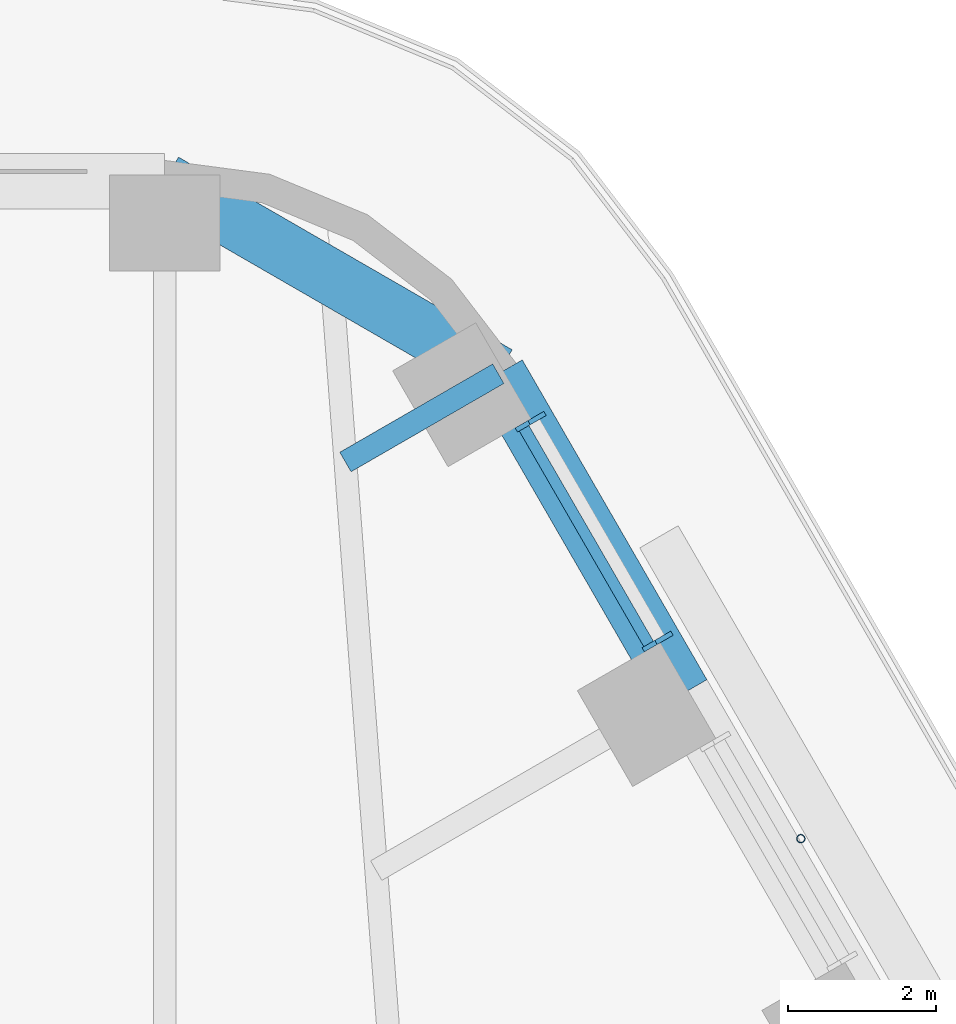
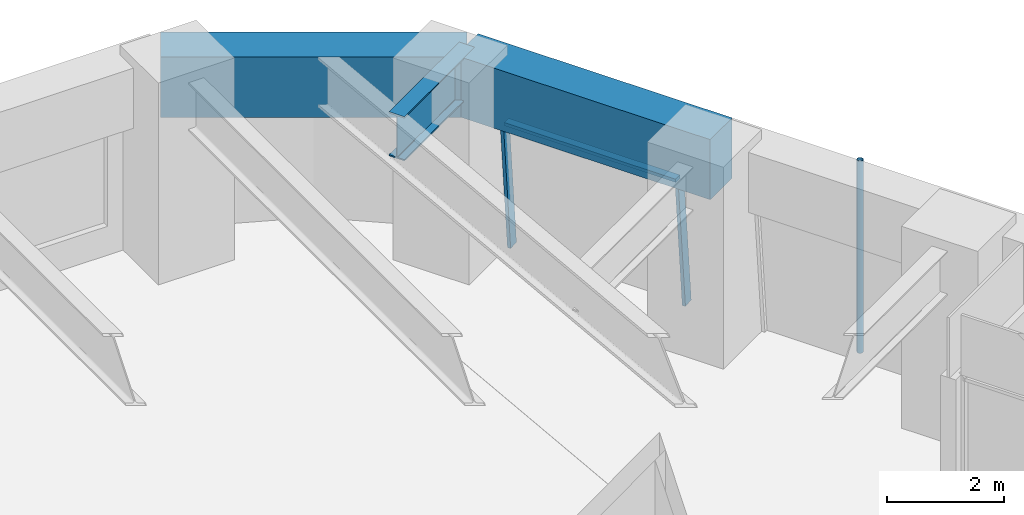
# One storey, part 13 of 24: 4 members, 3 beams, 1 element without a shape of its own.
"""IFC4 building model written with IfcOpenShell, lengths in metres."""

from ifc_helpers import new_model, si_unit, direction, frame, origin, origin_2d, place, context, subcontext, project, spatial, rectangle, hollow_circle, i_section, extrude, material, material_profile, profile_set, type_object, element, aggregate, save


model = new_model("IFC4")

# Units and contexts
model_context = context("Model", 3, precision=1e-05, world=origin(), true_north=direction((0.0, 1.0)))
body_context = subcontext(model_context, "Body", "Model", "MODEL_VIEW")
ifc_project = project(units=[si_unit("LENGTHUNIT", "METRE"), si_unit("AREAUNIT", "SQUARE_METRE"), si_unit("VOLUMEUNIT", "CUBIC_METRE"), si_unit("PLANEANGLEUNIT", "RADIAN"), si_unit("MASSUNIT", "GRAM", prefix="KILO")], contexts=[model_context])

# Site, building, storey
site_placement = place(None, origin())
site = spatial("IfcSite", under=ifc_project, at=site_placement, CompositionType="ELEMENT")
building_placement = place(site_placement, origin())
building = spatial("IfcBuilding", under=site, at=building_placement, Name="Tarfa Lantern Tower", CompositionType="ELEMENT")
storey_placement = place(building_placement, frame((0.0, 0.0, 182.5)))
storey = spatial("IfcBuildingStorey", under=building, at=storey_placement, Name="L41", CompositionType="ELEMENT", Elevation=182.5)

# Curtain wall, members
ifc_material_1 = material(Name="Aluminium framed curtain wall", Category="aluminium")
curtain_wall_type = type_object("IfcCurtainWallType", Name="CW2 CANTED GLAZING MID ZONE 2750", PredefinedType="USERDEFINED", material=ifc_material_1)
curtain_wall_placement = place(storey_placement, origin())
curtain_wall = element("IfcCurtainWall", 1, at=curtain_wall_placement, inside=storey, type_object=curtain_wall_type, Name="CW2 NEB L41", ObjectType="CURTAIN WALL", PredefinedType="USERDEFINED")
ifc_material_2 = material(Name="Aluminium mullion", Category="aluminium")
ifc_material_profile_1 = material_profile(ifc_material_2, rectangle(XDim=0.06494140625, YDim=0.199951171875, at=origin_2d()), Name="AL MULLION 65x200")
ifc_profile_set_1 = profile_set([ifc_material_profile_1], Name="Aluminium mullion")
member_type_1 = type_object("IfcMemberType", Name="CWM1 MULLION 65x200", PredefinedType="MULLION", material=ifc_profile_set_1)
member_1_placement = place(storey_placement, frame((21.79833984375, 25.04443359375, 0.0), z_axis=(-0.078422950161, -0.045267813396, 0.995891894715), x_axis=(0.499919672301, -0.866071776036, 0.0)))
member_1 = element("IfcMember", 2, at=member_1_placement, type_object=member_type_1, Name="CW2 mullion 1", PredefinedType="MULLION", context=body_context, shape_type="SweptSolid", body=[
    extrude(rectangle(XDim=0.06494140625, YDim=0.199951171875, at=origin_2d()), origin(), (0.0, 0.0, 1.0), 2.76123046875),
])
member_2_placement = place(storey_placement, frame((20.078857421875, 28.022216796875, 0.0), z_axis=(-0.078422950161, -0.045267813396, 0.995891894715), x_axis=(0.499919672301, -0.866071776036, 0.0)))
member_2 = element("IfcMember", 3, at=member_2_placement, type_object=member_type_1, Name="CW2 mullion 2", PredefinedType="MULLION", context=body_context, shape_type="SweptSolid", body=[
    extrude(rectangle(XDim=0.06494140625, YDim=0.199951171875, at=origin_2d()), origin(), (0.0, 0.0, 1.0), 2.76123046875),
])
ifc_material_3 = material(Name="Aluminium transom", Category="aluminium")
ifc_material_profile_2 = material_profile(ifc_material_3, rectangle(XDim=0.14990234375, YDim=0.06494140625, at=origin_2d()), Name="AL TRANSOM 150x65")
ifc_profile_set_2 = profile_set([ifc_material_profile_2], Name="Aluminium transom")
member_type_2 = type_object("IfcMemberType", Name="CWT1 TRANSOM 150x65", PredefinedType="USERDEFINED", material=ifc_profile_set_2)
member_3_placement = place(storey_placement, frame((21.568115234375, 24.948974609375, 2.717529296875), z_axis=(-0.500046095904, 0.865998788666, 0.0), x_axis=(-0.865998788666, -0.500046095904, 0.0)))
member_3 = element("IfcMember", 4, at=member_3_placement, type_object=member_type_2, Name="CW2 transom 1.2", ObjectType="TRANSOM", PredefinedType="USERDEFINED", context=body_context, shape_type="SweptSolid", body=[
    extrude(rectangle(XDim=0.14990234375, YDim=0.06494140625, at=origin_2d()), origin(), (0.0, 0.0, 1.0), 3.373779296875),
])
aggregate(curtain_wall, [member_1, member_2, member_3])

# Beams
ifc_material_4 = material(Name="Concrete C80/95", Category="concrete")
ifc_material_profile_3 = material_profile(ifc_material_4, rectangle(XDim=0.75, YDim=1.25, at=origin_2d()), Name="RC 750x1250")
ifc_profile_set_3 = profile_set([ifc_material_profile_3], Name="Concrete C80/95")
beam_type_1 = type_object("IfcBeamType", Name="EB2 RC 750x1250", PredefinedType="SPANDREL", material=ifc_profile_set_3)
beam_1_placement = place(storey_placement, frame((22.03369140625, 24.276611328125, 3.375), z_axis=(-0.500001197378, 0.866024712477, 0.0), x_axis=(-0.866024712477, -0.500001197378, 0.0)))
element("IfcBeam", 5, at=beam_1_placement, inside=storey, type_object=beam_type_1, Name="Edge beam NE5", PredefinedType="SPANDREL", context=body_context, shape_type="SweptSolid", body=[
    extrude(rectangle(XDim=0.75, YDim=1.25, at=origin_2d()), origin(), (0.0, 0.0, 1.0), 5.00390625),
])
beam_2_placement = place(storey_placement, frame((19.53173828125, 28.610107421875, 3.375), z_axis=(-0.86604150238, 0.499972115377, 0.0), x_axis=(-0.499972115377, -0.86604150238, 0.0)))
element("IfcBeam", 6, at=beam_2_placement, inside=storey, type_object=beam_type_1, Name="Edge beam NE6", PredefinedType="SPANDREL", context=body_context, shape_type="SweptSolid", body=[
    extrude(rectangle(XDim=0.75, YDim=1.25, at=origin_2d()), origin(), (0.0, 0.0, 1.0), 5.219970703125),
])

# Member
ifc_material_5 = material(Name="Steel S355", Category="steel")
ifc_material_profile_4 = material_profile(ifc_material_5, hollow_circle(Radius=0.05712890625, WallThickness=0.00634765625, at=origin_2d()), Name="CHS114.3x6.3")
ifc_profile_set_4 = profile_set([ifc_material_profile_4], Name="Steel S355")
member_type_3 = type_object("IfcMemberType", Name="TR1 GREEN WALL TRELLIS CHS114.3x6.3", PredefinedType="USERDEFINED", material=ifc_profile_set_4)
member_4_placement = place(storey_placement, frame((23.630859375, 22.31005859375, 0.0), z_axis=(0.0, 0.0, 1.0), x_axis=(1.0, 0.0, 0.0)))
element("IfcMember", 7, at=member_4_placement, inside=storey, type_object=member_type_3, Name="Trellis post NE 2", ObjectType="TRELLIS", PredefinedType="USERDEFINED", context=body_context, shape_type="SweptSolid", body=[
    extrude(hollow_circle(Radius=0.05712890625, WallThickness=0.00634765625, at=origin_2d()), origin(), (0.0, 0.0, 1.0), 4.0),
])

# Beam
ifc_material_6 = material(Name="Steel S460M", Category="steel")
ifc_material_profile_5 = material_profile(ifc_material_6, i_section(OverallWidth=0.305419921875, OverallDepth=0.91845703125, WebThickness=0.017333984375, FlangeThickness=0.02783203125, FilletRadius=0.01904296875, at=origin_2d()), Name="UB914x305x253")
ifc_profile_set_5 = profile_set([ifc_material_profile_5], Name="Steel S460M")
beam_type_2 = type_object("IfcBeamType", Name="UB914x305x253", PredefinedType="BEAM", material=ifc_profile_set_5)
beam_3_placement = place(storey_placement, frame((19.53173828125, 28.610107421875, 3.540771484375), z_axis=(-0.865998640954, -0.500046351717, 0.0), x_axis=(0.500046351717, -0.865998640954, 0.0)))
element("IfcBeam", 8, at=beam_3_placement, inside=storey, type_object=beam_type_2, Name="Floor beam NE6", PredefinedType="BEAM", context=body_context, shape_type="SweptSolid", body=[
    extrude(i_section(OverallWidth=0.305419921875, OverallDepth=0.91845703125, WebThickness=0.017333984375, FlangeThickness=0.02783203125, FilletRadius=0.01904296875, at=origin_2d()), origin(), (0.0, 0.0, 1.0), 2.392333984375),
])

save(model, "model.ifc")
